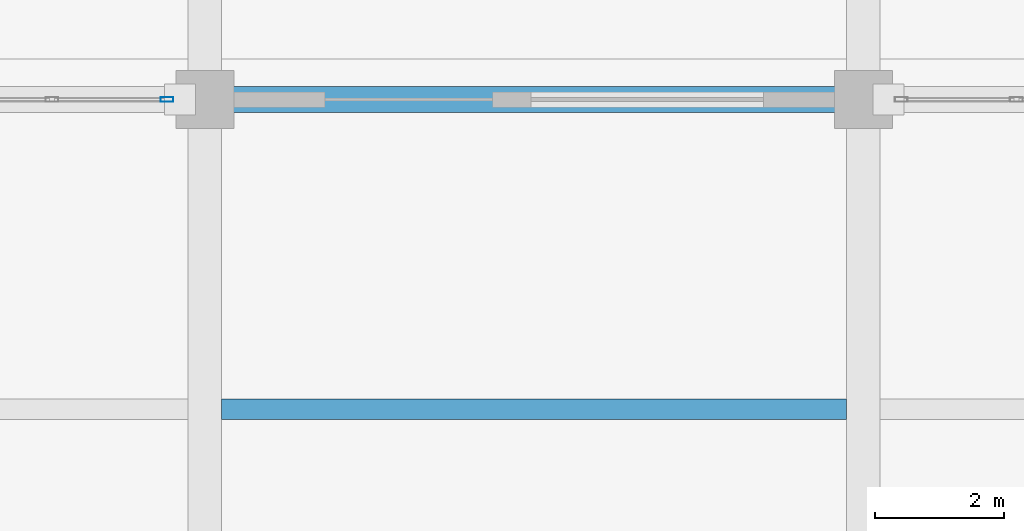
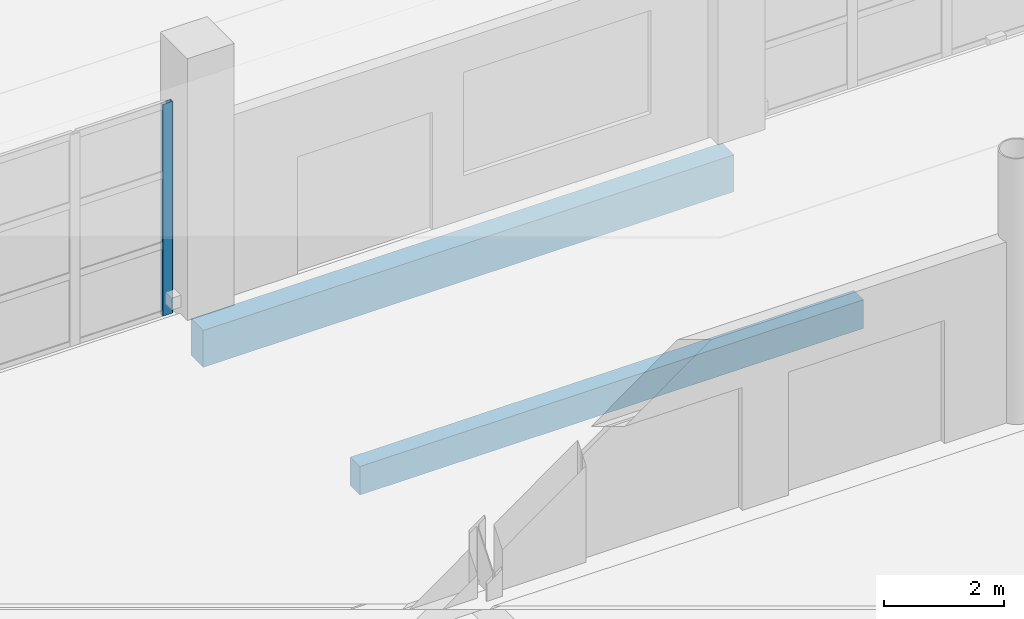
# One storey, part 46 of 124: 2 beams, 1 member, 1 element without a shape of its own.
"""IFC4 building model written with IfcOpenShell, lengths in metres."""

import ifcopenshell
import ifcopenshell.guid

model = None  # the IFC model being written
_history = None  # IfcOwnerHistory: only IFC2X3 demands one
_inside = {}  # id of a spatial element -> (the spatial element, [elements in it])
_under = {}  # id of a project, library or spatial element -> (it, [spatial elements below it])
_declared = {}  # id of a project -> (the project, [libraries it declares])
_typed = {}  # id of a type object -> (the type object, [elements of that type])
_made_of = {}  # id of a material, layer set ... -> (it, [elements and type objects made of it])


def new_model(schema):
    """Start an empty IFC model of exactly this schema.

    Asked for "IFC4X3", IfcOpenShell would pick the latest addendum, in which some entities
    have other attributes; the version numbers below select the first issue.
    IFC2X3 requires an IfcOwnerHistory on every rooted entity: one is made here for all.
    """
    global model, _history
    if schema == "IFC4X3":
        model = ifcopenshell.file(schema_version=(4, 3, 0, 0))
    else:
        model = ifcopenshell.file(schema=schema)
    _inside.clear()
    _under.clear()
    _declared.clear()
    _typed.clear()
    _made_of.clear()
    _history = None
    if model.schema == "IFC2X3":
        org = make("IfcOrganization", Name="unknown")
        user = make(
            "IfcPersonAndOrganization",
            ThePerson=make("IfcPerson", FamilyName="unknown"),
            TheOrganization=org,
        )
        app = make(
            "IfcApplication",
            ApplicationDeveloper=org,
            Version="unknown",
            ApplicationFullName="unknown",
            ApplicationIdentifier="unknown",
        )
        _history = make(
            "IfcOwnerHistory",
            OwningUser=user,
            OwningApplication=app,
            ChangeAction="ADDED",
            CreationDate=0,
        )
    return model


def make(cls, **values):
    """One entity of the class cls with the attributes given. An attribute that is None is left unset."""
    return model.create_entity(
        cls, **{name: value for name, value in values.items() if value is not None}
    )


def rooted(cls, **values):
    """An entity with a GlobalId (a new one), such as an element, a storey or a relation."""
    return make(cls, GlobalId=ifcopenshell.guid.new(), OwnerHistory=_history, **values)


def si_unit(unit_type, name, prefix=None):
    """IfcSIUnit, for example si_unit("LENGTHUNIT", "METRE", prefix="MILLI")."""
    return make("IfcSIUnit", UnitType=unit_type, Prefix=prefix, Name=name)


def assignment(units):
    """IfcUnitAssignment: the units of a project."""
    return None if units is None else make("IfcUnitAssignment", Units=units)


def point(xyz):
    """IfcCartesianPoint."""
    return None if xyz is None else make("IfcCartesianPoint", Coordinates=xyz)


def direction(xyz):
    """IfcDirection."""
    return None if xyz is None else make("IfcDirection", DirectionRatios=xyz)


def frame(location, z_axis=None, x_axis=None):
    """IfcAxis2Placement3D, a coordinate frame: its origin and axes. An axis left out is left unset."""
    return make(
        "IfcAxis2Placement3D",
        Location=point(location),
        Axis=direction(z_axis),
        RefDirection=direction(x_axis),
    )


def frame_2d(location, x_axis=None):
    """IfcAxis2Placement2D, a coordinate frame in the plane: its origin and x axis."""
    return make(
        "IfcAxis2Placement2D", Location=point(location), RefDirection=direction(x_axis)
    )


def origin():
    """The frame at (0, 0, 0) with its axes left unset."""
    return frame((0.0, 0.0, 0.0))


def origin_2d():
    """The frame at (0, 0) in the plane with its x axis left unset."""
    return frame_2d((0.0, 0.0))


def place(relative_to, where):
    """IfcLocalPlacement: puts the frame where relative to a parent placement (None: the world)."""
    return make(
        "IfcLocalPlacement", PlacementRelTo=relative_to, RelativePlacement=where
    )


def context(
    kind, dimensions, precision=None, world=None, true_north=None, identifier=None
):
    """IfcGeometricRepresentationContext, for example the 3D "Model" context."""
    return make(
        "IfcGeometricRepresentationContext",
        ContextIdentifier=identifier,
        ContextType=kind,
        CoordinateSpaceDimension=dimensions,
        Precision=precision,
        WorldCoordinateSystem=world,
        TrueNorth=true_north,
    )


def subcontext(parent, identifier, kind, view, scale=None):
    """IfcGeometricRepresentationSubContext, for example "Body" below "Model"."""
    return make(
        "IfcGeometricRepresentationSubContext",
        ContextIdentifier=identifier,
        ContextType=kind,
        ParentContext=parent,
        TargetScale=scale,
        TargetView=view,
    )


def project(units=None, contexts=None):
    """IfcProject with its units and contexts."""
    return rooted(
        "IfcProject",
        Name="project",
        RepresentationContexts=contexts,
        UnitsInContext=assignment(units),
    )


def spatial(cls, under=None, at=None, **own):
    """A site, building, storey or space (cls), placed at a placement, below another one or the project."""
    s = rooted(cls, ObjectPlacement=at, **own)
    if under is not None:
        _under.setdefault(under.id(), (under, []))[1].append(s)
    return s


def profile(cls, at=None, kind="AREA", **sizes):
    """A parametric profile (cls). Its sizes go by their IFC names, for example OverallWidth=200.0."""
    return make(cls, ProfileType=kind, Position=at, **sizes)


def rectangle(**sizes):
    """IfcRectangleProfileDef."""
    return profile("IfcRectangleProfileDef", **sizes)


def hollow_rectangle(**sizes):
    """IfcRectangleHollowProfileDef."""
    return profile("IfcRectangleHollowProfileDef", **sizes)


def extrude(swept, where, along, depth):
    """IfcExtrudedAreaSolid: the profile swept, set in the frame where, extruded along a direction by depth."""
    return make(
        "IfcExtrudedAreaSolid",
        SweptArea=swept,
        Position=where,
        ExtrudedDirection=direction(along),
        Depth=depth,
    )


def shape(context_of_items, identifier, shape_type, items):
    """IfcShapeRepresentation: the items that make up one representation, for example the "Body"."""
    return make(
        "IfcShapeRepresentation",
        ContextOfItems=context_of_items,
        RepresentationIdentifier=identifier,
        RepresentationType=shape_type,
        Items=items,
    )


def material(Name=None, Category=None):
    """IfcMaterial."""
    return make("IfcMaterial", Name=Name, Category=Category)


def material_profile(
    of_material, cross_section, Name=None, Category=None, Priority=None
):
    """IfcMaterialProfile: a cross section and its material."""
    return make(
        "IfcMaterialProfile",
        Name=Name,
        Material=of_material,
        Profile=cross_section,
        Priority=Priority,
        Category=Category,
    )


def profile_set(profiles, Name=None, composite=None):
    """IfcMaterialProfileSet."""
    return make(
        "IfcMaterialProfileSet",
        Name=Name,
        MaterialProfiles=profiles,
        CompositeProfile=composite,
    )


def made_of(thing, what):
    """Note that an element or type object is made of a material, layer set ...; save() writes the relation."""
    if what is not None:
        _made_of.setdefault(what.id(), (what, []))[1].append(thing)
    return thing


def type_object(cls, material=None, **own):
    """A type object (cls), such as IfcWallType, which elements share."""
    return made_of(rooted(cls, **own), material)


def element(
    cls,
    number,
    at=None,
    inside=None,
    cuts=None,
    type_object=None,
    material=None,
    context=None,
    identifier="Body",
    shape_type=None,
    held_by="IfcProductDefinitionShape",
    body=None,
    shapes=None,
    **own,
):
    """One element of the class cls, such as IfcWall. Its Tag is "e" and its number.

    at: its placement. inside: the storey or other place that contains it. cuts: it is an
    opening in that element (IfcRelVoidsElement). A single representation is given by context,
    identifier, shape_type and body (its items); several are given by shapes. held_by: the class
    of the entity that holds the representations. save() writes the other relations.
    """
    e = rooted(cls, Tag="e%d" % number, ObjectPlacement=at, **own)
    if body is not None:
        shapes = [shape(context, identifier, shape_type, body)]
    if shapes is not None:
        e.Representation = make(held_by, Representations=shapes)
    if inside is not None:
        _inside.setdefault(inside.id(), (inside, []))[1].append(e)
    if cuts is not None:
        rooted(
            "IfcRelVoidsElement", RelatingBuildingElement=cuts, RelatedOpeningElement=e
        )
    if type_object is not None:
        _typed.setdefault(type_object.id(), (type_object, []))[1].append(e)
    return made_of(e, material)


def aggregate(whole, parts):
    """IfcRelAggregates: a whole, such as a stair, and the parts it consists of."""
    return rooted("IfcRelAggregates", RelatingObject=whole, RelatedObjects=parts)


def save(model, path):
    """Write the relations noted so far, then the file.

    IfcRelAggregates (storeys below a building ...), IfcRelContainedInSpatialStructure (elements
    in a storey), IfcRelDefinesByType, IfcRelAssociatesMaterial and IfcRelDeclares: one each for
    every whole, place, type object, material and project.
    """
    for whole, parts in _under.values():
        aggregate(whole, parts)
    for where, things in _inside.values():
        rooted(
            "IfcRelContainedInSpatialStructure",
            RelatedElements=things,
            RelatingStructure=where,
        )
    for kind, things in _typed.values():
        rooted("IfcRelDefinesByType", RelatedObjects=things, RelatingType=kind)
    for what, things in _made_of.values():
        rooted("IfcRelAssociatesMaterial", RelatedObjects=things, RelatingMaterial=what)
    for by, libraries in _declared.values():
        rooted("IfcRelDeclares", RelatingContext=by, RelatedDefinitions=libraries)
    model.write(path)


model = new_model("IFC4")

# Units and contexts
model_context = context("Model", 3, precision=1e-05, world=origin(), true_north=direction((0.0, 1.0)))
body_context = subcontext(model_context, "Body", "Model", "MODEL_VIEW")
ifc_project = project(units=[si_unit("LENGTHUNIT", "METRE"), si_unit("AREAUNIT", "SQUARE_METRE"), si_unit("VOLUMEUNIT", "CUBIC_METRE"), si_unit("PLANEANGLEUNIT", "RADIAN"), si_unit("MASSUNIT", "GRAM", prefix="KILO")], contexts=[model_context])

# Site, building, storey
site_placement = place(None, origin())
site = spatial("IfcSite", under=ifc_project, at=site_placement, CompositionType="ELEMENT")
building_placement = place(site_placement, origin())
building = spatial("IfcBuilding", under=site, at=building_placement, Name="Brelvane Convention Centre", CompositionType="ELEMENT")
storey_placement = place(building_placement, origin())
storey = spatial("IfcBuildingStorey", under=building, at=storey_placement, Name="L00", CompositionType="ELEMENT", Elevation=0.0)

# Curtain wall, member
ifc_material_1 = material(Name="Anodised Aluminium Alloy 6063-T6", Category="aluminium")
curtain_wall_type = type_object("IfcCurtainWallType", Name="Curtain Wall CW-COURT", PredefinedType="USERDEFINED", material=ifc_material_1)
curtain_wall_placement = place(storey_placement, origin())
curtain_wall = element("IfcCurtainWall", 1, at=curtain_wall_placement, inside=storey, type_object=curtain_wall_type, Name="Curtain Wall CW-COURT L00-V4S-07", ObjectType="UNITISED", PredefinedType="USERDEFINED")
ifc_material_2 = material(Name="Anodised Aluminium Alloy 6063-T6", Category="aluminium")
ifc_material_profile_1 = material_profile(ifc_material_2, hollow_rectangle(XDim=0.074951171875, YDim=0.199951171875, WallThickness=0.0048828125, InnerFilletRadius=0.0048828125, OuterFilletRadius=0.010009765625, at=origin_2d()), Name="ALU-M 200x75x5.0")
ifc_profile_set_1 = profile_set([ifc_material_profile_1], Name="Anodised Aluminium Alloy 6063-T6")
member_type = type_object("IfcMemberType", Name="Curtain Mullion CW-M2", PredefinedType="MULLION", material=ifc_profile_set_1)
member_placement = place(storey_placement, frame((70.8125, 109.199951171875, 0.0), z_axis=(0.0, 0.0, 1.0), x_axis=(0.0, 1.0, 0.0)))
member = element("IfcMember", 2, at=member_placement, type_object=member_type, Name="CW-COURT mullion 6", PredefinedType="MULLION", context=body_context, shape_type="SweptSolid", body=[
    extrude(hollow_rectangle(XDim=0.074951171875, YDim=0.199951171875, WallThickness=0.0048828125, InnerFilletRadius=0.0048828125, OuterFilletRadius=0.010009765625, at=origin_2d()), origin(), (0.0, 0.0, 1.0), 4.300048828125),
])
aggregate(curtain_wall, [member])

# Beams
ifc_material_3 = material(Name="Concrete M40", Category="concrete")
ifc_material_profile_2 = material_profile(ifc_material_3, rectangle(XDim=0.320068359375, YDim=0.580078125, at=origin_2d()), Name="RC 320x580")
ifc_profile_set_2 = profile_set([ifc_material_profile_2], Name="Concrete M40")
beam_type_1 = type_object("IfcBeamType", Name="RC Joist J-RC3 (RC 320x580)", PredefinedType="JOIST", material=ifc_profile_set_2)
beam_1_placement = place(storey_placement, frame((71.659912109375, 104.39990234375, -0.68994140625), z_axis=(1.0, 0.0, 0.0), x_axis=(0.0, 1.0, 0.0)))
element("IfcBeam", 3, at=beam_1_placement, inside=storey, type_object=beam_type_1, Name="L00 Secondary Joist 8-9/KL", PredefinedType="JOIST", context=body_context, shape_type="SweptSolid", body=[
    extrude(rectangle(XDim=0.320068359375, YDim=0.580078125, at=origin_2d()), origin(), (0.0, 0.0, 1.0), 9.68017578125),
])
ifc_material_4 = material(Name="Concrete M40", Category="concrete")
ifc_material_profile_3 = material_profile(ifc_material_4, rectangle(XDim=0.39990234375, YDim=0.75, at=origin_2d()), Name="RC 400x750")
ifc_profile_set_3 = profile_set([ifc_material_profile_3], Name="Concrete M40")
beam_type_2 = type_object("IfcBeamType", Name="RC Spandrel SP-RC1 (RC 400x750)", PredefinedType="SPANDREL", material=ifc_profile_set_3)
beam_2_placement = place(storey_placement, frame((71.39990234375, 109.199951171875, -0.804931640625), z_axis=(1.0, 0.0, 0.0), x_axis=(0.0, 1.0, 0.0)))
element("IfcBeam", 4, at=beam_2_placement, inside=storey, type_object=beam_type_2, Name="L00 Beam 8-9/L", PredefinedType="SPANDREL", context=body_context, shape_type="SweptSolid", body=[
    extrude(rectangle(XDim=0.39990234375, YDim=0.75, at=origin_2d()), origin(), (0.0, 0.0, 1.0), 10.2001953125),
])

save(model, "model.ifc")
